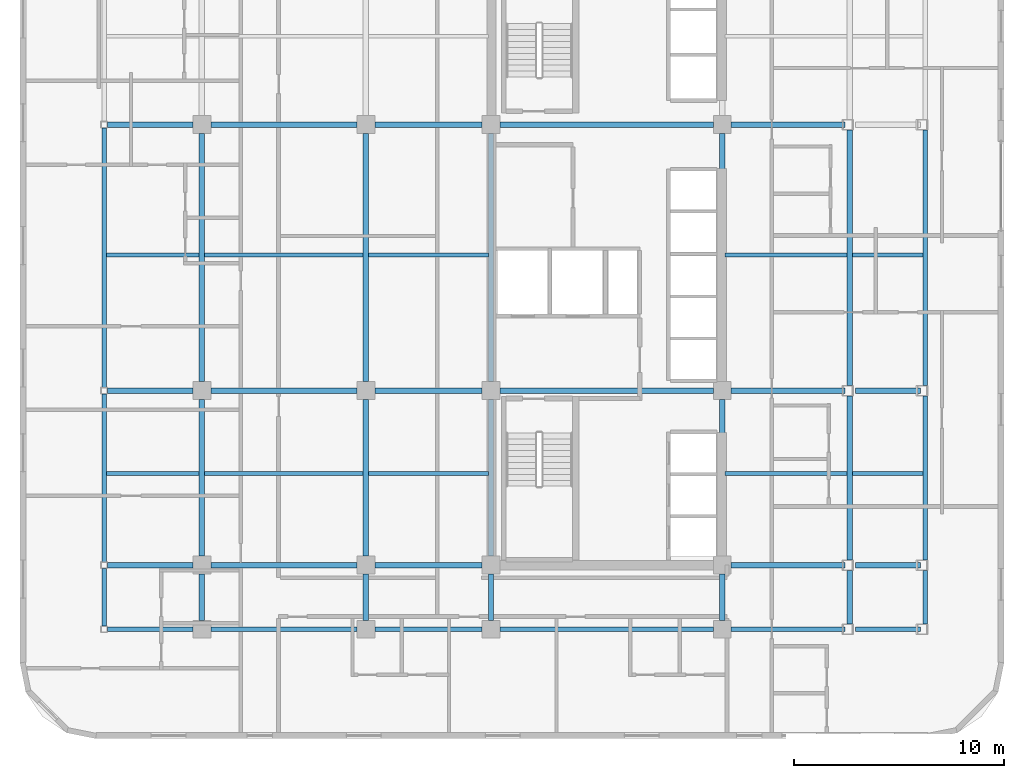
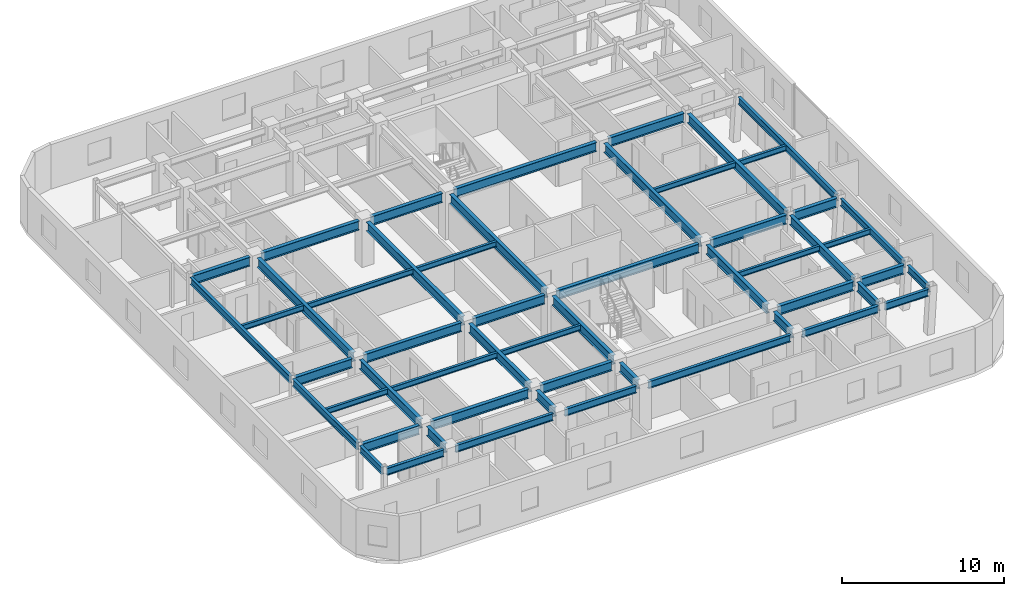
# One storey, part 4 of 13: 53 beams.
"""IFC4 building model written with IfcOpenShell, lengths in metres."""

from ifc_helpers import new_model, si_unit, direction, frame, origin, origin_2d, place, context, subcontext, project, spatial, i_section, extrude, material, material_profile, profile_set, type_object, element, save


model = new_model("IFC4")

# Units and contexts
model_context = context("Model", 3, precision=1e-05, world=origin(), true_north=direction((0.0, 1.0)))
body_context = subcontext(model_context, "Body", "Model", "MODEL_VIEW")
ifc_project = project(units=[si_unit("LENGTHUNIT", "METRE"), si_unit("AREAUNIT", "SQUARE_METRE"), si_unit("VOLUMEUNIT", "CUBIC_METRE"), si_unit("PLANEANGLEUNIT", "RADIAN"), si_unit("MASSUNIT", "GRAM", prefix="KILO")], contexts=[model_context])

# Site, building, storey
site_placement = place(None, origin())
site = spatial("IfcSite", under=ifc_project, at=site_placement, CompositionType="ELEMENT")
building_placement = place(site_placement, origin())
building = spatial("IfcBuilding", under=site, at=building_placement, Name="Ochreholt Gables", CompositionType="ELEMENT")
storey_placement = place(building_placement, frame((0.0, 0.0, 34.800048828125)))
storey = spatial("IfcBuildingStorey", under=building, at=storey_placement, Name="L08", CompositionType="ELEMENT", Elevation=34.800048828125)

# Beams
ifc_material = material(Name="Steel CSA G40.21 350W", Category="steel")
ifc_material_profile_1 = material_profile(ifc_material, i_section(OverallWidth=0.256103515625, OverallDepth=0.693115234375, WebThickness=0.014404296875, FlangeThickness=0.023681640625, at=origin_2d()), Name="W690X170")
ifc_profile_set_1 = profile_set([ifc_material_profile_1], Name="Steel CSA G40.21 350W")
beam_type_1 = type_object("IfcBeamType", Name="BM-G-W690", PredefinedType="BEAM", material=ifc_profile_set_1)
beam_1_placement = place(storey_placement, frame((5.9521484375, 9.25, 3.013427734375), z_axis=(1.0, 0.0, 0.0), x_axis=(0.0, 1.0, 0.0)))
element("IfcBeam", 1, at=beam_1_placement, inside=storey, type_object=beam_type_1, Name="L08 Beam TBG-L08-WTW2-Y2", PredefinedType="BEAM", context=body_context, shape_type="SweptSolid", body=[
    extrude(i_section(OverallWidth=0.256103515625, OverallDepth=0.693115234375, WebThickness=0.014404296875, FlangeThickness=0.023681640625, at=origin_2d()), origin(), (0.0, 0.0, 1.0), 4.0732421875),
])
beam_2_placement = place(storey_placement, frame((10.87451171875, 9.25, 3.013427734375), z_axis=(1.0, 0.0, 0.0), x_axis=(0.0, 1.0, 0.0)))
element("IfcBeam", 2, at=beam_2_placement, inside=storey, type_object=beam_type_1, Name="L08 Beam TBG-L08-W2W3-Y2", PredefinedType="BEAM", context=body_context, shape_type="SweptSolid", body=[
    extrude(i_section(OverallWidth=0.256103515625, OverallDepth=0.693115234375, WebThickness=0.014404296875, FlangeThickness=0.023681640625, at=origin_2d()), origin(), (0.0, 0.0, 1.0), 6.950927734375),
])
beam_3_placement = place(storey_placement, frame((18.674560546875, 9.25, 3.013427734375), z_axis=(1.0, 0.0, 0.0), x_axis=(0.0, 1.0, 0.0)))
element("IfcBeam", 3, at=beam_3_placement, inside=storey, type_object=beam_type_1, Name="L08 Beam TBG-L08-W3C1-Y2", PredefinedType="BEAM", context=body_context, shape_type="SweptSolid", body=[
    extrude(i_section(OverallWidth=0.256103515625, OverallDepth=0.693115234375, WebThickness=0.014404296875, FlangeThickness=0.023681640625, at=origin_2d()), origin(), (0.0, 0.0, 1.0), 5.100830078125),
])
beam_4_placement = place(storey_placement, frame((35.62451171875, 9.25, 3.013427734375), z_axis=(1.0, 0.0, 0.0), x_axis=(0.0, 1.0, 0.0)))
element("IfcBeam", 4, at=beam_4_placement, inside=storey, type_object=beam_type_1, Name="L08 Beam TBG-L08-C2EM-Y2", PredefinedType="BEAM", context=body_context, shape_type="SweptSolid", body=[
    extrude(i_section(OverallWidth=0.256103515625, OverallDepth=0.693115234375, WebThickness=0.014404296875, FlangeThickness=0.023681640625, at=origin_2d()), origin(), (0.0, 0.0, 1.0), 5.406005859375),
])
beam_5_placement = place(storey_placement, frame((41.529541015625, 9.25, 3.013427734375), z_axis=(1.0, 0.0, 0.0), x_axis=(0.0, 1.0, 0.0)))
element("IfcBeam", 5, at=beam_5_placement, inside=storey, type_object=beam_type_1, Name="L08 Beam TBG-L08-EMEE-Y2", PredefinedType="BEAM", context=body_context, shape_type="SweptSolid", body=[
    extrude(i_section(OverallWidth=0.256103515625, OverallDepth=0.693115234375, WebThickness=0.014404296875, FlangeThickness=0.023681640625, at=origin_2d()), origin(), (0.0, 0.0, 1.0), 3.10498046875),
])
beam_6_placement = place(storey_placement, frame((5.9521484375, 17.550048828125, 3.013427734375), z_axis=(1.0, 0.0, 0.0), x_axis=(0.0, 1.0, 0.0)))
element("IfcBeam", 6, at=beam_6_placement, inside=storey, type_object=beam_type_1, Name="L08 Beam TBG-L08-WTW2-Y3", PredefinedType="BEAM", context=body_context, shape_type="SweptSolid", body=[
    extrude(i_section(OverallWidth=0.256103515625, OverallDepth=0.693115234375, WebThickness=0.014404296875, FlangeThickness=0.023681640625, at=origin_2d()), origin(), (0.0, 0.0, 1.0), 4.0732421875),
])
beam_7_placement = place(storey_placement, frame((10.87451171875, 17.550048828125, 3.013427734375), z_axis=(1.0, 0.0, 0.0), x_axis=(0.0, 1.0, 0.0)))
element("IfcBeam", 7, at=beam_7_placement, inside=storey, type_object=beam_type_1, Name="L08 Beam TBG-L08-W2W3-Y3", PredefinedType="BEAM", context=body_context, shape_type="SweptSolid", body=[
    extrude(i_section(OverallWidth=0.256103515625, OverallDepth=0.693115234375, WebThickness=0.014404296875, FlangeThickness=0.023681640625, at=origin_2d()), origin(), (0.0, 0.0, 1.0), 6.950927734375),
])
beam_8_placement = place(storey_placement, frame((18.674560546875, 17.550048828125, 3.013427734375), z_axis=(1.0, 0.0, 0.0), x_axis=(0.0, 1.0, 0.0)))
element("IfcBeam", 8, at=beam_8_placement, inside=storey, type_object=beam_type_1, Name="L08 Beam TBG-L08-W3C1-Y3", PredefinedType="BEAM", context=body_context, shape_type="SweptSolid", body=[
    extrude(i_section(OverallWidth=0.256103515625, OverallDepth=0.693115234375, WebThickness=0.014404296875, FlangeThickness=0.023681640625, at=origin_2d()), origin(), (0.0, 0.0, 1.0), 5.100830078125),
])
beam_9_placement = place(storey_placement, frame((24.62451171875, 17.550048828125, 3.013427734375), z_axis=(1.0, 0.0, 0.0), x_axis=(0.0, 1.0, 0.0)))
element("IfcBeam", 9, at=beam_9_placement, inside=storey, type_object=beam_type_1, Name="L08 Beam TBG-L08-C1C2-Y3", PredefinedType="BEAM", context=body_context, shape_type="SweptSolid", body=[
    extrude(i_section(OverallWidth=0.256103515625, OverallDepth=0.693115234375, WebThickness=0.014404296875, FlangeThickness=0.023681640625, at=origin_2d()), origin(), (0.0, 0.0, 1.0), 10.15087890625),
])
beam_10_placement = place(storey_placement, frame((35.62451171875, 17.550048828125, 3.013427734375), z_axis=(1.0, 0.0, 0.0), x_axis=(0.0, 1.0, 0.0)))
element("IfcBeam", 10, at=beam_10_placement, inside=storey, type_object=beam_type_1, Name="L08 Beam TBG-L08-C2EM-Y3", PredefinedType="BEAM", context=body_context, shape_type="SweptSolid", body=[
    extrude(i_section(OverallWidth=0.256103515625, OverallDepth=0.693115234375, WebThickness=0.014404296875, FlangeThickness=0.023681640625, at=origin_2d()), origin(), (0.0, 0.0, 1.0), 5.406005859375),
])
beam_11_placement = place(storey_placement, frame((41.529541015625, 17.550048828125, 3.013427734375), z_axis=(1.0, 0.0, 0.0), x_axis=(0.0, 1.0, 0.0)))
element("IfcBeam", 11, at=beam_11_placement, inside=storey, type_object=beam_type_1, Name="L08 Beam TBG-L08-EMEE-Y3", PredefinedType="BEAM", context=body_context, shape_type="SweptSolid", body=[
    extrude(i_section(OverallWidth=0.256103515625, OverallDepth=0.693115234375, WebThickness=0.014404296875, FlangeThickness=0.023681640625, at=origin_2d()), origin(), (0.0, 0.0, 1.0), 3.10498046875),
])
beam_12_placement = place(storey_placement, frame((5.9521484375, 30.199951171875, 3.013427734375), z_axis=(1.0, 0.0, 0.0), x_axis=(0.0, 1.0, 0.0)))
element("IfcBeam", 12, at=beam_12_placement, inside=storey, type_object=beam_type_1, Name="L08 Beam TBG-L08-WTW2-Y4", PredefinedType="BEAM", context=body_context, shape_type="SweptSolid", body=[
    extrude(i_section(OverallWidth=0.256103515625, OverallDepth=0.693115234375, WebThickness=0.014404296875, FlangeThickness=0.023681640625, at=origin_2d()), origin(), (0.0, 0.0, 1.0), 4.0732421875),
])
beam_13_placement = place(storey_placement, frame((10.87451171875, 30.199951171875, 3.013427734375), z_axis=(1.0, 0.0, 0.0), x_axis=(0.0, 1.0, 0.0)))
element("IfcBeam", 13, at=beam_13_placement, inside=storey, type_object=beam_type_1, Name="L08 Beam TBG-L08-W2W3-Y4", PredefinedType="BEAM", context=body_context, shape_type="SweptSolid", body=[
    extrude(i_section(OverallWidth=0.256103515625, OverallDepth=0.693115234375, WebThickness=0.014404296875, FlangeThickness=0.023681640625, at=origin_2d()), origin(), (0.0, 0.0, 1.0), 6.950927734375),
])
beam_14_placement = place(storey_placement, frame((18.674560546875, 30.199951171875, 3.013427734375), z_axis=(1.0, 0.0, 0.0), x_axis=(0.0, 1.0, 0.0)))
element("IfcBeam", 14, at=beam_14_placement, inside=storey, type_object=beam_type_1, Name="L08 Beam TBG-L08-W3C1-Y4", PredefinedType="BEAM", context=body_context, shape_type="SweptSolid", body=[
    extrude(i_section(OverallWidth=0.256103515625, OverallDepth=0.693115234375, WebThickness=0.014404296875, FlangeThickness=0.023681640625, at=origin_2d()), origin(), (0.0, 0.0, 1.0), 5.100830078125),
])
beam_15_placement = place(storey_placement, frame((24.62451171875, 30.199951171875, 3.013427734375), z_axis=(1.0, 0.0, 0.0), x_axis=(0.0, 1.0, 0.0)))
element("IfcBeam", 15, at=beam_15_placement, inside=storey, type_object=beam_type_1, Name="L08 Beam TBG-L08-C1C2-Y4", PredefinedType="BEAM", context=body_context, shape_type="SweptSolid", body=[
    extrude(i_section(OverallWidth=0.256103515625, OverallDepth=0.693115234375, WebThickness=0.014404296875, FlangeThickness=0.023681640625, at=origin_2d()), origin(), (0.0, 0.0, 1.0), 10.15087890625),
])
beam_16_placement = place(storey_placement, frame((35.62451171875, 30.199951171875, 3.013427734375), z_axis=(1.0, 0.0, 0.0), x_axis=(0.0, 1.0, 0.0)))
element("IfcBeam", 16, at=beam_16_placement, inside=storey, type_object=beam_type_1, Name="L08 Beam TBG-L08-C2EM-Y4", PredefinedType="BEAM", context=body_context, shape_type="SweptSolid", body=[
    extrude(i_section(OverallWidth=0.256103515625, OverallDepth=0.693115234375, WebThickness=0.014404296875, FlangeThickness=0.023681640625, at=origin_2d()), origin(), (0.0, 0.0, 1.0), 5.406005859375),
])
beam_17_placement = place(storey_placement, frame((10.449951171875, 6.62451171875, 3.013427734375), z_axis=(0.0, 1.0, 0.0), x_axis=(-1.0, 0.0, 0.0)))
element("IfcBeam", 17, at=beam_17_placement, inside=storey, type_object=beam_type_1, Name="L08 Beam TBN-L08-W2-Y1Y2", PredefinedType="BEAM", context=body_context, shape_type="SweptSolid", body=[
    extrude(i_section(OverallWidth=0.256103515625, OverallDepth=0.693115234375, WebThickness=0.014404296875, FlangeThickness=0.023681640625, at=origin_2d()), origin(), (0.0, 0.0, 1.0), 2.200927734375),
])
beam_18_placement = place(storey_placement, frame((10.449951171875, 9.674560546875, 3.013427734375), z_axis=(0.0, 1.0, 0.0), x_axis=(-1.0, 0.0, 0.0)))
element("IfcBeam", 18, at=beam_18_placement, inside=storey, type_object=beam_type_1, Name="L08 Beam TBN-L08-W2-Y2Y3", PredefinedType="BEAM", context=body_context, shape_type="SweptSolid", body=[
    extrude(i_section(OverallWidth=0.256103515625, OverallDepth=0.693115234375, WebThickness=0.014404296875, FlangeThickness=0.023681640625, at=origin_2d()), origin(), (0.0, 0.0, 1.0), 7.450927734375),
])
beam_19_placement = place(storey_placement, frame((10.449951171875, 17.974609375, 3.013427734375), z_axis=(0.0, 1.0, 0.0), x_axis=(-1.0, 0.0, 0.0)))
element("IfcBeam", 19, at=beam_19_placement, inside=storey, type_object=beam_type_1, Name="L08 Beam TBN-L08-W2-Y3Y4", PredefinedType="BEAM", context=body_context, shape_type="SweptSolid", body=[
    extrude(i_section(OverallWidth=0.256103515625, OverallDepth=0.693115234375, WebThickness=0.014404296875, FlangeThickness=0.023681640625, at=origin_2d()), origin(), (0.0, 0.0, 1.0), 11.80078125),
])
beam_20_placement = place(storey_placement, frame((18.25, 6.62451171875, 3.013427734375), z_axis=(0.0, 1.0, 0.0), x_axis=(-1.0, 0.0, 0.0)))
element("IfcBeam", 20, at=beam_20_placement, inside=storey, type_object=beam_type_1, Name="L08 Beam TBN-L08-W3-Y1Y2", PredefinedType="BEAM", context=body_context, shape_type="SweptSolid", body=[
    extrude(i_section(OverallWidth=0.256103515625, OverallDepth=0.693115234375, WebThickness=0.014404296875, FlangeThickness=0.023681640625, at=origin_2d()), origin(), (0.0, 0.0, 1.0), 2.200927734375),
])
beam_21_placement = place(storey_placement, frame((18.25, 9.674560546875, 3.013427734375), z_axis=(0.0, 1.0, 0.0), x_axis=(-1.0, 0.0, 0.0)))
element("IfcBeam", 21, at=beam_21_placement, inside=storey, type_object=beam_type_1, Name="L08 Beam TBN-L08-W3-Y2Y3", PredefinedType="BEAM", context=body_context, shape_type="SweptSolid", body=[
    extrude(i_section(OverallWidth=0.256103515625, OverallDepth=0.693115234375, WebThickness=0.014404296875, FlangeThickness=0.023681640625, at=origin_2d()), origin(), (0.0, 0.0, 1.0), 7.450927734375),
])
beam_22_placement = place(storey_placement, frame((18.25, 17.974609375, 3.013427734375), z_axis=(0.0, 1.0, 0.0), x_axis=(-1.0, 0.0, 0.0)))
element("IfcBeam", 22, at=beam_22_placement, inside=storey, type_object=beam_type_1, Name="L08 Beam TBN-L08-W3-Y3Y4", PredefinedType="BEAM", context=body_context, shape_type="SweptSolid", body=[
    extrude(i_section(OverallWidth=0.256103515625, OverallDepth=0.693115234375, WebThickness=0.014404296875, FlangeThickness=0.023681640625, at=origin_2d()), origin(), (0.0, 0.0, 1.0), 11.80078125),
])
beam_23_placement = place(storey_placement, frame((24.199951171875, 6.62451171875, 3.013427734375), z_axis=(0.0, 1.0, 0.0), x_axis=(-1.0, 0.0, 0.0)))
element("IfcBeam", 23, at=beam_23_placement, inside=storey, type_object=beam_type_1, Name="L08 Beam TBN-L08-C1-Y1Y2", PredefinedType="BEAM", context=body_context, shape_type="SweptSolid", body=[
    extrude(i_section(OverallWidth=0.256103515625, OverallDepth=0.693115234375, WebThickness=0.014404296875, FlangeThickness=0.023681640625, at=origin_2d()), origin(), (0.0, 0.0, 1.0), 2.200927734375),
])
beam_24_placement = place(storey_placement, frame((24.199951171875, 9.674560546875, 3.013427734375), z_axis=(0.0, 1.0, 0.0), x_axis=(-1.0, 0.0, 0.0)))
element("IfcBeam", 24, at=beam_24_placement, inside=storey, type_object=beam_type_1, Name="L08 Beam TBN-L08-C1-Y2Y3", PredefinedType="BEAM", context=body_context, shape_type="SweptSolid", body=[
    extrude(i_section(OverallWidth=0.256103515625, OverallDepth=0.693115234375, WebThickness=0.014404296875, FlangeThickness=0.023681640625, at=origin_2d()), origin(), (0.0, 0.0, 1.0), 7.450927734375),
])
beam_25_placement = place(storey_placement, frame((24.199951171875, 17.974609375, 3.013427734375), z_axis=(0.0, 1.0, 0.0), x_axis=(-1.0, 0.0, 0.0)))
element("IfcBeam", 25, at=beam_25_placement, inside=storey, type_object=beam_type_1, Name="L08 Beam TBN-L08-C1-Y3Y4", PredefinedType="BEAM", context=body_context, shape_type="SweptSolid", body=[
    extrude(i_section(OverallWidth=0.256103515625, OverallDepth=0.693115234375, WebThickness=0.014404296875, FlangeThickness=0.023681640625, at=origin_2d()), origin(), (0.0, 0.0, 1.0), 11.80078125),
])
beam_26_placement = place(storey_placement, frame((35.199951171875, 6.62451171875, 3.013427734375), z_axis=(0.0, 1.0, 0.0), x_axis=(-1.0, 0.0, 0.0)))
element("IfcBeam", 26, at=beam_26_placement, inside=storey, type_object=beam_type_1, Name="L08 Beam TBN-L08-C2-Y1Y2", PredefinedType="BEAM", context=body_context, shape_type="SweptSolid", body=[
    extrude(i_section(OverallWidth=0.256103515625, OverallDepth=0.693115234375, WebThickness=0.014404296875, FlangeThickness=0.023681640625, at=origin_2d()), origin(), (0.0, 0.0, 1.0), 2.200927734375),
])
beam_27_placement = place(storey_placement, frame((35.199951171875, 9.674560546875, 3.013427734375), z_axis=(0.0, 1.0, 0.0), x_axis=(-1.0, 0.0, 0.0)))
element("IfcBeam", 27, at=beam_27_placement, inside=storey, type_object=beam_type_1, Name="L08 Beam TBN-L08-C2-Y2Y3", PredefinedType="BEAM", context=body_context, shape_type="SweptSolid", body=[
    extrude(i_section(OverallWidth=0.256103515625, OverallDepth=0.693115234375, WebThickness=0.014404296875, FlangeThickness=0.023681640625, at=origin_2d()), origin(), (0.0, 0.0, 1.0), 7.450927734375),
])
beam_28_placement = place(storey_placement, frame((35.199951171875, 17.974609375, 3.013427734375), z_axis=(0.0, 1.0, 0.0), x_axis=(-1.0, 0.0, 0.0)))
element("IfcBeam", 28, at=beam_28_placement, inside=storey, type_object=beam_type_1, Name="L08 Beam TBN-L08-C2-Y3Y4", PredefinedType="BEAM", context=body_context, shape_type="SweptSolid", body=[
    extrude(i_section(OverallWidth=0.256103515625, OverallDepth=0.693115234375, WebThickness=0.014404296875, FlangeThickness=0.023681640625, at=origin_2d()), origin(), (0.0, 0.0, 1.0), 11.80078125),
])
beam_29_placement = place(storey_placement, frame((41.262939453125, 6.44970703125, 3.013427734375), z_axis=(0.0, 1.0, 0.0), x_axis=(-1.0, 0.0, 0.0)))
element("IfcBeam", 29, at=beam_29_placement, inside=storey, type_object=beam_type_1, Name="L08 Beam TBN-L08-EM-Y1Y2", PredefinedType="BEAM", context=body_context, shape_type="SweptSolid", body=[
    extrude(i_section(OverallWidth=0.256103515625, OverallDepth=0.693115234375, WebThickness=0.014404296875, FlangeThickness=0.023681640625, at=origin_2d()), origin(), (0.0, 0.0, 1.0), 2.55078125),
])
beam_30_placement = place(storey_placement, frame((41.262939453125, 9.49951171875, 3.013427734375), z_axis=(0.0, 1.0, 0.0), x_axis=(-1.0, 0.0, 0.0)))
element("IfcBeam", 30, at=beam_30_placement, inside=storey, type_object=beam_type_1, Name="L08 Beam TBN-L08-EM-Y2Y3", PredefinedType="BEAM", context=body_context, shape_type="SweptSolid", body=[
    extrude(i_section(OverallWidth=0.256103515625, OverallDepth=0.693115234375, WebThickness=0.014404296875, FlangeThickness=0.023681640625, at=origin_2d()), origin(), (0.0, 0.0, 1.0), 7.80078125),
])
beam_31_placement = place(storey_placement, frame((41.262939453125, 17.799560546875, 3.013427734375), z_axis=(0.0, 1.0, 0.0), x_axis=(-1.0, 0.0, 0.0)))
element("IfcBeam", 31, at=beam_31_placement, inside=storey, type_object=beam_type_1, Name="L08 Beam TBN-L08-EM-Y3Y4", PredefinedType="BEAM", context=body_context, shape_type="SweptSolid", body=[
    extrude(i_section(OverallWidth=0.256103515625, OverallDepth=0.693115234375, WebThickness=0.014404296875, FlangeThickness=0.023681640625, at=origin_2d()), origin(), (0.0, 0.0, 1.0), 12.15087890625),
])
ifc_material_profile_2 = material_profile(ifc_material, i_section(OverallWidth=0.178955078125, OverallDepth=0.409912109375, WebThickness=0.0087890625, FlangeThickness=0.014404296875, at=origin_2d()), Name="W410X67")
ifc_profile_set_2 = profile_set([ifc_material_profile_2], Name="Steel CSA G40.21 350W")
beam_type_2 = type_object("IfcBeamType", Name="BM-J-W410", PredefinedType="JOIST", material=ifc_profile_set_2)
beam_32_placement = place(storey_placement, frame((5.904052734375, 13.60009765625, 3.155029296875), z_axis=(1.0, 0.0, 0.0), x_axis=(0.0, 1.0, 0.0)))
element("IfcBeam", 32, at=beam_32_placement, inside=storey, type_object=beam_type_2, Name="L08 Beam TBJ-L08-J1-WTW2", PredefinedType="JOIST", context=body_context, shape_type="SweptSolid", body=[
    extrude(i_section(OverallWidth=0.178955078125, OverallDepth=0.409912109375, WebThickness=0.0087890625, FlangeThickness=0.014404296875, at=origin_2d()), origin(), (0.0, 0.0, 1.0), 4.41845703125),
])
beam_33_placement = place(storey_placement, frame((10.57763671875, 13.60009765625, 3.155029296875), z_axis=(1.0, 0.0, 0.0), x_axis=(0.0, 1.0, 0.0)))
element("IfcBeam", 33, at=beam_33_placement, inside=storey, type_object=beam_type_2, Name="L08 Beam TBJ-L08-J1-W2W3", PredefinedType="JOIST", context=body_context, shape_type="SweptSolid", body=[
    extrude(i_section(OverallWidth=0.178955078125, OverallDepth=0.409912109375, WebThickness=0.0087890625, FlangeThickness=0.014404296875, at=origin_2d()), origin(), (0.0, 0.0, 1.0), 7.544677734375),
])
beam_34_placement = place(storey_placement, frame((18.377685546875, 13.60009765625, 3.155029296875), z_axis=(1.0, 0.0, 0.0), x_axis=(0.0, 1.0, 0.0)))
element("IfcBeam", 34, at=beam_34_placement, inside=storey, type_object=beam_type_2, Name="L08 Beam TBJ-L08-J1-W3C1", PredefinedType="JOIST", context=body_context, shape_type="SweptSolid", body=[
    extrude(i_section(OverallWidth=0.178955078125, OverallDepth=0.409912109375, WebThickness=0.0087890625, FlangeThickness=0.014404296875, at=origin_2d()), origin(), (0.0, 0.0, 1.0), 5.69482421875),
])
beam_35_placement = place(storey_placement, frame((35.32763671875, 13.60009765625, 3.155029296875), z_axis=(1.0, 0.0, 0.0), x_axis=(0.0, 1.0, 0.0)))
element("IfcBeam", 35, at=beam_35_placement, inside=storey, type_object=beam_type_2, Name="L08 Beam TBJ-L08-J1-C2EM", PredefinedType="JOIST", context=body_context, shape_type="SweptSolid", body=[
    extrude(i_section(OverallWidth=0.178955078125, OverallDepth=0.409912109375, WebThickness=0.0087890625, FlangeThickness=0.014404296875, at=origin_2d()), origin(), (0.0, 0.0, 1.0), 5.8076171875),
])
beam_36_placement = place(storey_placement, frame((41.390380859375, 13.60009765625, 3.155029296875), z_axis=(1.0, 0.0, 0.0), x_axis=(0.0, 1.0, 0.0)))
element("IfcBeam", 36, at=beam_36_placement, inside=storey, type_object=beam_type_2, Name="L08 Beam TBJ-L08-J1-EMEE", PredefinedType="JOIST", context=body_context, shape_type="SweptSolid", body=[
    extrude(i_section(OverallWidth=0.178955078125, OverallDepth=0.409912109375, WebThickness=0.0087890625, FlangeThickness=0.014404296875, at=origin_2d()), origin(), (0.0, 0.0, 1.0), 3.361083984375),
])
beam_37_placement = place(storey_placement, frame((5.904052734375, 24.0, 3.155029296875), z_axis=(1.0, 0.0, 0.0), x_axis=(0.0, 1.0, 0.0)))
element("IfcBeam", 37, at=beam_37_placement, inside=storey, type_object=beam_type_2, Name="L08 Beam TBJ-L08-J2-WTW2", PredefinedType="JOIST", context=body_context, shape_type="SweptSolid", body=[
    extrude(i_section(OverallWidth=0.178955078125, OverallDepth=0.409912109375, WebThickness=0.0087890625, FlangeThickness=0.014404296875, at=origin_2d()), origin(), (0.0, 0.0, 1.0), 4.41845703125),
])
beam_38_placement = place(storey_placement, frame((10.57763671875, 24.0, 3.155029296875), z_axis=(1.0, 0.0, 0.0), x_axis=(0.0, 1.0, 0.0)))
element("IfcBeam", 38, at=beam_38_placement, inside=storey, type_object=beam_type_2, Name="L08 Beam TBJ-L08-J2-W2W3", PredefinedType="JOIST", context=body_context, shape_type="SweptSolid", body=[
    extrude(i_section(OverallWidth=0.178955078125, OverallDepth=0.409912109375, WebThickness=0.0087890625, FlangeThickness=0.014404296875, at=origin_2d()), origin(), (0.0, 0.0, 1.0), 7.544677734375),
])
beam_39_placement = place(storey_placement, frame((18.377685546875, 24.0, 3.155029296875), z_axis=(1.0, 0.0, 0.0), x_axis=(0.0, 1.0, 0.0)))
element("IfcBeam", 39, at=beam_39_placement, inside=storey, type_object=beam_type_2, Name="L08 Beam TBJ-L08-J2-W3C1", PredefinedType="JOIST", context=body_context, shape_type="SweptSolid", body=[
    extrude(i_section(OverallWidth=0.178955078125, OverallDepth=0.409912109375, WebThickness=0.0087890625, FlangeThickness=0.014404296875, at=origin_2d()), origin(), (0.0, 0.0, 1.0), 5.69482421875),
])
beam_40_placement = place(storey_placement, frame((35.32763671875, 24.0, 3.155029296875), z_axis=(1.0, 0.0, 0.0), x_axis=(0.0, 1.0, 0.0)))
element("IfcBeam", 40, at=beam_40_placement, inside=storey, type_object=beam_type_2, Name="L08 Beam TBJ-L08-J2-C2EM", PredefinedType="JOIST", context=body_context, shape_type="SweptSolid", body=[
    extrude(i_section(OverallWidth=0.178955078125, OverallDepth=0.409912109375, WebThickness=0.0087890625, FlangeThickness=0.014404296875, at=origin_2d()), origin(), (0.0, 0.0, 1.0), 5.8076171875),
])
beam_41_placement = place(storey_placement, frame((41.390380859375, 24.0, 3.155029296875), z_axis=(1.0, 0.0, 0.0), x_axis=(0.0, 1.0, 0.0)))
element("IfcBeam", 41, at=beam_41_placement, inside=storey, type_object=beam_type_2, Name="L08 Beam TBJ-L08-J2-EMEE", PredefinedType="JOIST", context=body_context, shape_type="SweptSolid", body=[
    extrude(i_section(OverallWidth=0.178955078125, OverallDepth=0.409912109375, WebThickness=0.0087890625, FlangeThickness=0.014404296875, at=origin_2d()), origin(), (0.0, 0.0, 1.0), 3.361083984375),
])
ifc_material_profile_3 = material_profile(ifc_material, i_section(OverallWidth=0.208984375, OverallDepth=0.532958984375, WebThickness=0.01025390625, FlangeThickness=0.015625, at=origin_2d()), Name="W530X92")
ifc_profile_set_3 = profile_set([ifc_material_profile_3], Name="Steel CSA G40.21 350W")
beam_type_3 = type_object("IfcBeamType", Name="BM-SP-W530B", PredefinedType="SPANDREL", material=ifc_profile_set_3)
beam_42_placement = place(storey_placement, frame((5.9521484375, 6.199951171875, 3.093505859375), z_axis=(1.0, 0.0, 0.0), x_axis=(0.0, 1.0, 0.0)))
element("IfcBeam", 42, at=beam_42_placement, inside=storey, type_object=beam_type_3, Name="L08 Beam TBG-L08-WTW2-Y1", PredefinedType="SPANDREL", context=body_context, shape_type="SweptSolid", body=[
    extrude(i_section(OverallWidth=0.208984375, OverallDepth=0.532958984375, WebThickness=0.01025390625, FlangeThickness=0.015625, at=origin_2d()), origin(), (0.0, 0.0, 1.0), 4.0732421875),
])
beam_43_placement = place(storey_placement, frame((10.87451171875, 6.199951171875, 3.093505859375), z_axis=(1.0, 0.0, 0.0), x_axis=(0.0, 1.0, 0.0)))
element("IfcBeam", 43, at=beam_43_placement, inside=storey, type_object=beam_type_3, Name="L08 Beam TBG-L08-W2W3-Y1", PredefinedType="SPANDREL", context=body_context, shape_type="SweptSolid", body=[
    extrude(i_section(OverallWidth=0.208984375, OverallDepth=0.532958984375, WebThickness=0.01025390625, FlangeThickness=0.015625, at=origin_2d()), origin(), (0.0, 0.0, 1.0), 6.950927734375),
])
beam_44_placement = place(storey_placement, frame((18.674560546875, 6.199951171875, 3.093505859375), z_axis=(1.0, 0.0, 0.0), x_axis=(0.0, 1.0, 0.0)))
element("IfcBeam", 44, at=beam_44_placement, inside=storey, type_object=beam_type_3, Name="L08 Beam TBG-L08-W3C1-Y1", PredefinedType="SPANDREL", context=body_context, shape_type="SweptSolid", body=[
    extrude(i_section(OverallWidth=0.208984375, OverallDepth=0.532958984375, WebThickness=0.01025390625, FlangeThickness=0.015625, at=origin_2d()), origin(), (0.0, 0.0, 1.0), 5.100830078125),
])
beam_45_placement = place(storey_placement, frame((24.62451171875, 6.199951171875, 3.093505859375), z_axis=(1.0, 0.0, 0.0), x_axis=(0.0, 1.0, 0.0)))
element("IfcBeam", 45, at=beam_45_placement, inside=storey, type_object=beam_type_3, Name="L08 Beam TBG-L08-C1C2-Y1", PredefinedType="SPANDREL", context=body_context, shape_type="SweptSolid", body=[
    extrude(i_section(OverallWidth=0.208984375, OverallDepth=0.532958984375, WebThickness=0.01025390625, FlangeThickness=0.015625, at=origin_2d()), origin(), (0.0, 0.0, 1.0), 10.15087890625),
])
beam_46_placement = place(storey_placement, frame((35.62451171875, 6.199951171875, 3.093505859375), z_axis=(1.0, 0.0, 0.0), x_axis=(0.0, 1.0, 0.0)))
element("IfcBeam", 46, at=beam_46_placement, inside=storey, type_object=beam_type_3, Name="L08 Beam TBG-L08-C2EM-Y1", PredefinedType="SPANDREL", context=body_context, shape_type="SweptSolid", body=[
    extrude(i_section(OverallWidth=0.208984375, OverallDepth=0.532958984375, WebThickness=0.01025390625, FlangeThickness=0.015625, at=origin_2d()), origin(), (0.0, 0.0, 1.0), 5.406005859375),
])
beam_47_placement = place(storey_placement, frame((41.529541015625, 6.199951171875, 3.093505859375), z_axis=(1.0, 0.0, 0.0), x_axis=(0.0, 1.0, 0.0)))
element("IfcBeam", 47, at=beam_47_placement, inside=storey, type_object=beam_type_3, Name="L08 Beam TBG-L08-EMEE-Y1", PredefinedType="SPANDREL", context=body_context, shape_type="SweptSolid", body=[
    extrude(i_section(OverallWidth=0.208984375, OverallDepth=0.532958984375, WebThickness=0.01025390625, FlangeThickness=0.015625, at=origin_2d()), origin(), (0.0, 0.0, 1.0), 3.10498046875),
])
beam_48_placement = place(storey_placement, frame((5.800048828125, 6.35205078125, 3.093505859375), z_axis=(0.0, 1.0, 0.0), x_axis=(-1.0, 0.0, 0.0)))
element("IfcBeam", 48, at=beam_48_placement, inside=storey, type_object=beam_type_3, Name="L08 Beam TBN-L08-WT-Y1Y2", PredefinedType="SPANDREL", context=body_context, shape_type="SweptSolid", body=[
    extrude(i_section(OverallWidth=0.208984375, OverallDepth=0.532958984375, WebThickness=0.01025390625, FlangeThickness=0.015625, at=origin_2d()), origin(), (0.0, 0.0, 1.0), 2.745849609375),
])
beam_49_placement = place(storey_placement, frame((5.800048828125, 9.402099609375, 3.093505859375), z_axis=(0.0, 1.0, 0.0), x_axis=(-1.0, 0.0, 0.0)))
element("IfcBeam", 49, at=beam_49_placement, inside=storey, type_object=beam_type_3, Name="L08 Beam TBN-L08-WT-Y2Y3", PredefinedType="SPANDREL", context=body_context, shape_type="SweptSolid", body=[
    extrude(i_section(OverallWidth=0.208984375, OverallDepth=0.532958984375, WebThickness=0.01025390625, FlangeThickness=0.015625, at=origin_2d()), origin(), (0.0, 0.0, 1.0), 7.995849609375),
])
beam_50_placement = place(storey_placement, frame((5.800048828125, 17.7021484375, 3.093505859375), z_axis=(0.0, 1.0, 0.0), x_axis=(-1.0, 0.0, 0.0)))
element("IfcBeam", 50, at=beam_50_placement, inside=storey, type_object=beam_type_3, Name="L08 Beam TBN-L08-WT-Y3Y4", PredefinedType="SPANDREL", context=body_context, shape_type="SweptSolid", body=[
    extrude(i_section(OverallWidth=0.208984375, OverallDepth=0.532958984375, WebThickness=0.01025390625, FlangeThickness=0.015625, at=origin_2d()), origin(), (0.0, 0.0, 1.0), 12.345703125),
])
beam_51_placement = place(storey_placement, frame((44.855712890625, 6.44970703125, 3.093505859375), z_axis=(0.0, 1.0, 0.0), x_axis=(-1.0, 0.0, 0.0)))
element("IfcBeam", 51, at=beam_51_placement, inside=storey, type_object=beam_type_3, Name="L08 Beam TBN-L08-EE-Y1Y2", PredefinedType="SPANDREL", context=body_context, shape_type="SweptSolid", body=[
    extrude(i_section(OverallWidth=0.208984375, OverallDepth=0.532958984375, WebThickness=0.01025390625, FlangeThickness=0.015625, at=origin_2d()), origin(), (0.0, 0.0, 1.0), 2.55078125),
])
beam_52_placement = place(storey_placement, frame((44.855712890625, 9.49951171875, 3.093505859375), z_axis=(0.0, 1.0, 0.0), x_axis=(-1.0, 0.0, 0.0)))
element("IfcBeam", 52, at=beam_52_placement, inside=storey, type_object=beam_type_3, Name="L08 Beam TBN-L08-EE-Y2Y3", PredefinedType="SPANDREL", context=body_context, shape_type="SweptSolid", body=[
    extrude(i_section(OverallWidth=0.208984375, OverallDepth=0.532958984375, WebThickness=0.01025390625, FlangeThickness=0.015625, at=origin_2d()), origin(), (0.0, 0.0, 1.0), 7.80078125),
])
beam_53_placement = place(storey_placement, frame((44.855712890625, 17.799560546875, 3.093505859375), z_axis=(0.0, 1.0, 0.0), x_axis=(-1.0, 0.0, 0.0)))
element("IfcBeam", 53, at=beam_53_placement, inside=storey, type_object=beam_type_3, Name="L08 Beam TBN-L08-EE-Y3Y4", PredefinedType="SPANDREL", context=body_context, shape_type="SweptSolid", body=[
    extrude(i_section(OverallWidth=0.208984375, OverallDepth=0.532958984375, WebThickness=0.01025390625, FlangeThickness=0.015625, at=origin_2d()), origin(), (0.0, 0.0, 1.0), 12.15087890625),
])

save(model, "model.ifc")
